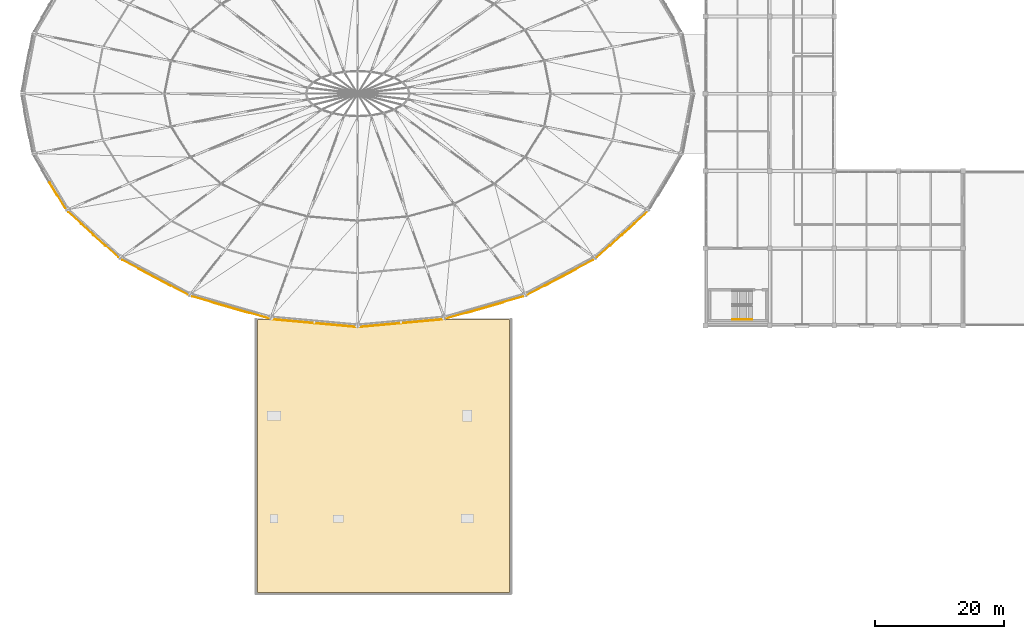
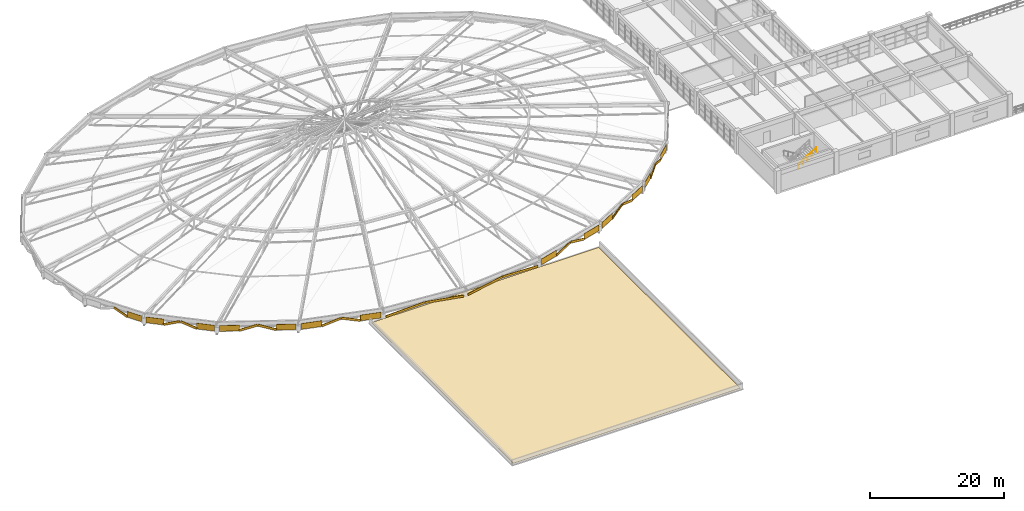
# One storey, part 75 of 83: 31 coverings, 1 railing.
"""IFC4 building model written with IfcOpenShell, lengths in metres."""

from ifc_helpers import new_model, si_unit, direction, frame, frame_2d, origin, origin_2d, place, context, subcontext, project, spatial, polyline, rectangle, circle, outline, extrude, material, layer, layer_set, type_object, element, save


model = new_model("IFC4")

# Units and contexts
model_context = context("Model", 3, precision=1e-05, world=origin(), true_north=direction((0.0, 1.0)))
body_context = subcontext(model_context, "Body", "Model", "MODEL_VIEW")
ifc_project = project(units=[si_unit("LENGTHUNIT", "METRE"), si_unit("AREAUNIT", "SQUARE_METRE"), si_unit("VOLUMEUNIT", "CUBIC_METRE"), si_unit("PLANEANGLEUNIT", "RADIAN"), si_unit("MASSUNIT", "GRAM", prefix="KILO")], contexts=[model_context])

# Site, building, storey
site_placement = place(None, origin())
site = spatial("IfcSite", under=ifc_project, at=site_placement, CompositionType="ELEMENT")
building_placement = place(site_placement, origin())
building = spatial("IfcBuilding", under=site, at=building_placement, Name="Kivolera Central Railway Station", CompositionType="ELEMENT")
storey_placement = place(building_placement, frame((0.0, 0.0, 14.39990234375)))
storey = spatial("IfcBuildingStorey", under=building, at=storey_placement, Name="L03", CompositionType="ELEMENT", Elevation=14.39990234375)

# Coverings
ifc_material_1 = material(Name="Precast concrete C40/50", Category="concrete")
ifc_layer_1 = layer(ifc_material_1, 0.090087890625, Name="Precast concrete C40/50")
ifc_layer_set_1 = layer_set([ifc_layer_1], Name="Precast concrete C40/50")
covering_type_1 = type_object("IfcCoveringType", Name="COV-CLAUSTRA-90", PredefinedType="CLADDING", material=ifc_layer_set_1)
covering_1_placement = place(storey_placement, frame((16.7548828125, 75.199951171875, 0.731201171875), z_axis=(0.476784191777, -0.797245697627, -0.370237939827), x_axis=(-0.858137550629, -0.513419851778, 0.0)))
element("IfcCovering", 1, at=covering_1_placement, inside=storey, type_object=covering_type_1, Name="Oval Lantern Arch Spandrel Extrados Trim 14.4", PredefinedType="CLADDING", context=body_context, shape_type="SweptSolid", body=[
    extrude(rectangle(XDim=0.090087890625, YDim=0.3798828125, at=origin_2d()), frame((0.0, 0.0, -1.21533203125)), (0.0, 0.0, 1.0), 2.430908203125),
])
for number, where, z_axis, x_axis, name in (
    (2, (21.966064453125, 68.949951171875, 0.732177734375), (0.698689607825, -0.630212758842, 0.338621780915), (-0.669922245859, -0.742431265844, 0.0), "Oval Lantern Arch Spandrel Extrados Trim 15.3"),
    (3, (23.888916015625, 67.216064453125, 0.732177734375), (0.698689607825, -0.630212758842, -0.338621780915), (-0.669922245859, -0.742431265844, 0.0), "Oval Lantern Arch Spandrel Extrados Trim 15.4"),
):
    element("IfcCovering", number, at=place(storey_placement, frame(where, z_axis=z_axis, x_axis=x_axis)), inside=storey, type_object=covering_type_1, Name=name, PredefinedType="CLADDING", context=body_context, shape_type="SweptSolid", body=[
        extrude(rectangle(XDim=0.090087890625, YDim=0.3798828125, at=origin_2d()), frame((0.0, 0.0, -1.3291015625)), (0.0, 0.0, 1.0), 2.657958984375),
    ])
for number, where, z_axis, x_axis, name in (
    (4, (31.242919921875, 62.1240234375, 0.734130859375), (0.839601563438, -0.445833602232, 0.310325013162), (-0.469119253064, -0.88313482912, 0.0), "Oval Lantern Arch Spandrel Extrados Trim 16.3"),
    (5, (33.748046875, 60.79296875, 0.734130859375), (0.839370630004, -0.446238946002, -0.310367119002), (-0.469119253064, -0.88313482912, 0.0), "Oval Lantern Arch Spandrel Extrados Trim 16.4"),
):
    element("IfcCovering", number, at=place(storey_placement, frame(where, z_axis=z_axis, x_axis=x_axis)), inside=storey, type_object=covering_type_1, Name=name, PredefinedType="CLADDING", context=body_context, shape_type="SweptSolid", body=[
        extrude(rectangle(XDim=0.090087890625, YDim=0.3798828125, at=origin_2d()), frame((0.0, 0.0, -1.449951171875)), (0.0, 0.0, 1.0), 2.89990234375),
    ])
for number, where, z_axis, x_axis, name in (
    (6, (42.739990234375, 57.198974609375, 0.734130859375), (0.919713439261, -0.263698583075, 0.290844025083), (-0.275632123108, -0.961263196378, 0.0), "Oval Lantern Arch Spandrel Extrados Trim 17.3"),
    (7, (45.658935546875, 56.362060546875, 0.734130859375), (0.919713439261, -0.263698583075, -0.290844025083), (-0.275632123108, -0.961263196378, 0.0), "Oval Lantern Arch Spandrel Extrados Trim 17.4"),
):
    element("IfcCovering", number, at=place(storey_placement, frame(where, z_axis=z_axis, x_axis=x_axis)), inside=storey, type_object=covering_type_1, Name=name, PredefinedType="CLADDING", context=body_context, shape_type="SweptSolid", body=[
        extrude(rectangle(XDim=0.090087890625, YDim=0.3798828125, at=origin_2d()), frame((0.0, 0.0, -1.546875)), (0.0, 0.0, 1.0), 3.093994140625),
    ])
for number, where, z_axis, x_axis, name in (
    (8, (54.0458984375, 54.65087890625, 0.59912109375), (0.989974548626, -0.090209411966, 0.108686038959), (-0.090789260019, -0.995870127208, 0.0), "Oval Lantern Arch Spandrel Extrados Trim 18.1"),
    (9, (60.449951171875, 54.068115234375, 0.59912109375), (0.989974548626, -0.090209411966, -0.108686038959), (-0.090789260019, -0.995870127208, 0.0), "Oval Lantern Arch Spandrel Extrados Trim 18.2"),
    (10, (67.550048828125, 54.068115234375, 0.59912109375), (0.989974548626, 0.090209411966, 0.108686038959), (0.090789260019, -0.995870127208, 0.0), "Oval Lantern Arch Spandrel Extrados Trim 19.1"),
    (11, (73.9541015625, 54.65087890625, 0.59912109375), (0.989974548626, 0.090209411966, -0.108686038959), (0.090789260019, -0.995870127208, 0.0), "Oval Lantern Arch Spandrel Extrados Trim 19.2"),
):
    element("IfcCovering", number, at=place(storey_placement, frame(where, z_axis=z_axis, x_axis=x_axis)), inside=storey, type_object=covering_type_1, Name=name, PredefinedType="CLADDING", context=body_context, shape_type="SweptSolid", body=[
        extrude(rectangle(XDim=0.090087890625, YDim=0.3798828125, at=origin_2d()), frame((0.0, 0.0, -3.220458984375)), (0.0, 0.0, 1.0), 6.44091796875),
    ])
for number, where, z_axis, x_axis, name in (
    (12, (82.341064453125, 56.362060546875, 0.734130859375), (0.919713439261, 0.263698583075, 0.290844025083), (0.275632123108, -0.961263196378, 0.0), "Oval Lantern Arch Spandrel Extrados Trim 20.3"),
    (13, (85.260009765625, 57.198974609375, 0.734130859375), (0.919713439261, 0.263698583075, -0.290844025083), (0.275632123108, -0.961263196378, 0.0), "Oval Lantern Arch Spandrel Extrados Trim 20.4"),
):
    element("IfcCovering", number, at=place(storey_placement, frame(where, z_axis=z_axis, x_axis=x_axis)), inside=storey, type_object=covering_type_1, Name=name, PredefinedType="CLADDING", context=body_context, shape_type="SweptSolid", body=[
        extrude(rectangle(XDim=0.090087890625, YDim=0.3798828125, at=origin_2d()), frame((0.0, 0.0, -1.546875)), (0.0, 0.0, 1.0), 3.093994140625),
    ])
for number, where, z_axis, x_axis, name in (
    (14, (94.251953125, 60.79296875, 0.734130859375), (0.839370630004, 0.446238946002, 0.310367119002), (0.469119253064, -0.88313482912, 0.0), "Oval Lantern Arch Spandrel Extrados Trim 21.3"),
    (15, (96.757080078125, 62.1240234375, 0.734130859375), (0.839601563438, 0.445833602232, -0.310325013162), (0.469119253064, -0.88313482912, 0.0), "Oval Lantern Arch Spandrel Extrados Trim 21.4"),
):
    element("IfcCovering", number, at=place(storey_placement, frame(where, z_axis=z_axis, x_axis=x_axis)), inside=storey, type_object=covering_type_1, Name=name, PredefinedType="CLADDING", context=body_context, shape_type="SweptSolid", body=[
        extrude(rectangle(XDim=0.090087890625, YDim=0.3798828125, at=origin_2d()), frame((0.0, 0.0, -1.449951171875)), (0.0, 0.0, 1.0), 2.89990234375),
    ])
for number, where, z_axis, x_axis, name in (
    (16, (104.111083984375, 67.216064453125, 0.732177734375), (0.698689607825, 0.630212758842, 0.338621780915), (0.669922245859, -0.742431265844, 0.0), "Oval Lantern Arch Spandrel Extrados Trim 22.3"),
    (17, (106.033935546875, 68.949951171875, 0.732177734375), (0.698689607825, 0.630212758842, -0.338621780915), (0.669922245859, -0.742431265844, 0.0), "Oval Lantern Arch Spandrel Extrados Trim 22.4"),
):
    element("IfcCovering", number, at=place(storey_placement, frame(where, z_axis=z_axis, x_axis=x_axis)), inside=storey, type_object=covering_type_1, Name=name, PredefinedType="CLADDING", context=body_context, shape_type="SweptSolid", body=[
        extrude(rectangle(XDim=0.090087890625, YDim=0.3798828125, at=origin_2d()), frame((0.0, 0.0, -1.3291015625)), (0.0, 0.0, 1.0), 2.657958984375),
    ])
ifc_material_2 = material(Name="Anodised aluminium", Category="aluminium")
ifc_layer_2 = layer(ifc_material_2, 0.054931640625, Name="Anodised aluminium")
ifc_layer_set_2 = layer_set([ifc_layer_2], Name="Anodised aluminium")
covering_type_2 = type_object("IfcCoveringType", Name="COV-ROOF-SEAM-55", PredefinedType="ROOFING", material=ifc_layer_set_2)
covering_2_placement = place(storey_placement, origin())
element("IfcCovering", 18, at=covering_2_placement, inside=storey, type_object=covering_type_2, Name="L03 Monsoon Roof Surfacing COV-L03-BRG", PredefinedType="ROOFING", context=body_context, shape_type="SweptSolid", body=[
    extrude(outline(polyline([(48.39990234375, 12.5), (87.60009765625, 12.5), (87.60009765625, 54.89990234375), (48.39990234375, 54.89990234375), (48.39990234375, 12.5)])), origin(), (0.0, 0.0, 1.0), 0.05517578125),
])
ifc_material_3 = material(Name="Terracotta clay tile", Category="masonry")
ifc_layer_3 = layer(ifc_material_3, 0.044921875, Name="Terracotta clay tile")
ifc_layer_set_3 = layer_set([ifc_layer_3], Name="Terracotta clay tile")
covering_type_3 = type_object("IfcCoveringType", Name="COV-TERRACOTTA-45", PredefinedType="CLADDING", material=ifc_layer_set_3)
covering_3_placement = place(storey_placement, frame((18.60009765625, 72.194091796875, 0.16015625), z_axis=(0.0, 0.0, 1.0), x_axis=(-0.513526675005, 0.858073629742, 0.0)))
element("IfcCovering", 19, at=covering_3_placement, inside=storey, type_object=covering_type_3, Name="Oval Lantern Arch Spandrel Tympanum Cladding 14R", PredefinedType="CLADDING", context=body_context, shape_type="SweptSolid", body=[
    extrude(rectangle(XDim=2.446044921875, YDim=0.044921875, at=frame_2d((1.22314453125, 0.0))), origin(), (0.0, 0.0, 1.0), 1.06005859375),
])
for number, where, z_axis, x_axis, name in (
    (20, (21.097900390625, 69.7880859375, 0.16015625), (0.0, 0.0, 1.0), (-0.742365783712, 0.669994808318, 0.0), "Oval Lantern Arch Spandrel Tympanum Cladding 15L"),
    (21, (26.822021484375, 64.6220703125, 0.16015625), (0.0, 0.0, 1.0), (-0.742365783712, 0.669994808318, 0.0), "Oval Lantern Arch Spandrel Tympanum Cladding 15R"),
):
    element("IfcCovering", number, at=place(storey_placement, frame(where, z_axis=z_axis, x_axis=x_axis)), inside=storey, type_object=covering_type_3, Name=name, PredefinedType="CLADDING", context=body_context, shape_type="SweptSolid", body=[
        extrude(rectangle(XDim=2.708984375, YDim=0.044921875, at=frame_2d((1.3544921875, 0.0))), origin(), (0.0, 0.0, 1.0), 1.06005859375),
    ])
covering_4_placement = place(storey_placement, frame((30.080078125, 62.787109375, 0.16015625), z_axis=(0.0, 0.0, 1.0), x_axis=(-0.883116778071, 0.469153233272, 0.0)))
element("IfcCovering", 22, at=covering_4_placement, inside=storey, type_object=covering_type_3, Name="Oval Lantern Arch Spandrel Tympanum Cladding 16L", PredefinedType="CLADDING", context=body_context, shape_type="SweptSolid", body=[
    extrude(rectangle(XDim=2.986083984375, YDim=0.044921875, at=frame_2d((1.4931640625, 0.0))), origin(), (0.0, 0.0, 1.0), 1.06005859375),
])
covering_5_placement = place(storey_placement, frame((37.5859375, 58.800048828125, 0.16015625), z_axis=(0.0, 0.0, 1.0), x_axis=(-0.883188732157, 0.469017764472, 0.0)))
element("IfcCovering", 23, at=covering_5_placement, inside=storey, type_object=covering_type_3, Name="Oval Lantern Arch Spandrel Tympanum Cladding 16R", PredefinedType="CLADDING", context=body_context, shape_type="SweptSolid", body=[
    extrude(rectangle(XDim=2.98681640625, YDim=0.044921875, at=frame_2d((1.493408203125, 0.0))), origin(), (0.0, 0.0, 1.0), 1.06005859375),
])
for number, where, z_axis, x_axis, name in (
    (24, (41.364990234375, 57.634033203125, 0.16015625), (0.0, 0.0, 1.0), (-0.961262114071, 0.275635897612, 0.0), "Oval Lantern Arch Spandrel Tympanum Cladding 17L"),
    (25, (50.139892578125, 55.117919921875, 0.16015625), (0.0, 0.0, 1.0), (-0.961262114071, 0.275635897612, 0.0), "Oval Lantern Arch Spandrel Tympanum Cladding 17R"),
    (26, (80.943115234375, 56.001953125, 0.16015625), (0.0, 0.0, 1.0), (-0.961262114071, -0.275635897612, 0.0), "Oval Lantern Arch Spandrel Tympanum Cladding 20L"),
    (27, (89.718017578125, 58.51806640625, 0.16015625), (0.0, 0.0, 1.0), (-0.961262114071, -0.275635897612, 0.0), "Oval Lantern Arch Spandrel Tympanum Cladding 20R"),
):
    element("IfcCovering", number, at=place(storey_placement, frame(where, z_axis=z_axis, x_axis=x_axis)), inside=storey, type_object=covering_type_3, Name=name, PredefinedType="CLADDING", context=body_context, shape_type="SweptSolid", body=[
        extrude(rectangle(XDim=3.207275390625, YDim=0.044921875, at=frame_2d((1.603515625, 0.0))), origin(), (0.0, 0.0, 1.0), 1.06005859375),
    ])
covering_6_placement = place(storey_placement, frame((93.052001953125, 60.200927734375, 0.16015625), z_axis=(0.0, 0.0, 1.0), x_axis=(-0.883188732157, -0.469017764472, 0.0)))
element("IfcCovering", 28, at=covering_6_placement, inside=storey, type_object=covering_type_3, Name="Oval Lantern Arch Spandrel Tympanum Cladding 21L", PredefinedType="CLADDING", context=body_context, shape_type="SweptSolid", body=[
    extrude(rectangle(XDim=2.98681640625, YDim=0.044921875, at=frame_2d((1.493408203125, 0.0))), origin(), (0.0, 0.0, 1.0), 1.06005859375),
])
covering_7_placement = place(storey_placement, frame((100.556884765625, 64.18798828125, 0.16015625), z_axis=(0.0, 0.0, 1.0), x_axis=(-0.883116778071, -0.469153233272, 0.0)))
element("IfcCovering", 29, at=covering_7_placement, inside=storey, type_object=covering_type_3, Name="Oval Lantern Arch Spandrel Tympanum Cladding 21R", PredefinedType="CLADDING", context=body_context, shape_type="SweptSolid", body=[
    extrude(rectangle(XDim=2.986083984375, YDim=0.044921875, at=frame_2d((1.4931640625, 0.0))), origin(), (0.0, 0.0, 1.0), 1.06005859375),
])
for number, where, z_axis, x_axis, name in (
    (30, (103.18896484375, 66.43701171875, 0.16015625), (0.0, 0.0, 1.0), (-0.742365783712, -0.669994808318, 0.0), "Oval Lantern Arch Spandrel Tympanum Cladding 22L"),
    (31, (108.9130859375, 71.60302734375, 0.16015625), (0.0, 0.0, 1.0), (-0.742365783712, -0.669994808318, 0.0), "Oval Lantern Arch Spandrel Tympanum Cladding 22R"),
):
    element("IfcCovering", number, at=place(storey_placement, frame(where, z_axis=z_axis, x_axis=x_axis)), inside=storey, type_object=covering_type_3, Name=name, PredefinedType="CLADDING", context=body_context, shape_type="SweptSolid", body=[
        extrude(rectangle(XDim=2.708984375, YDim=0.044921875, at=frame_2d((1.3544921875, 0.0))), origin(), (0.0, 0.0, 1.0), 1.06005859375),
    ])

# Railing
ifc_layer_4 = layer(ifc_material_2, 0.048095703125, Name="Anodised aluminium")
ifc_layer_set_4 = layer_set([ifc_layer_4], Name="Anodised aluminium")
railing_type = type_object("IfcRailingType", Name="RL-STAIR-HAND", PredefinedType="HANDRAIL", material=ifc_layer_set_4)
railing_placement = place(storey_placement, frame((122.159912109375, 54.949951171875, 2.275146484375)))
element("IfcRailing", 32, at=railing_placement, inside=storey, type_object=railing_type, Name="L03 ST4 stair handrail 2", PredefinedType="HANDRAIL", context=body_context, shape_type="SweptSolid", body=[
    extrude(circle(Radius=0.02392578125, at=origin_2d()), frame((0.0, 0.0, 0.8759765625), z_axis=(0.847998304005, 0.0, 0.529998940003), x_axis=(0.0, 1.0, 0.0)), (0.0, 0.0, 1.0), 3.632080078125),
    extrude(circle(Radius=0.02099609375, at=origin_2d()), origin(), (0.0, 0.0, 1.0), 0.851806640625),
    extrude(circle(Radius=0.02099609375, at=origin_2d()), frame((0.77001953125, 0.0, 0.481201171875)), (0.0, 0.0, 1.0), 0.851806640625),
    extrude(circle(Radius=0.02099609375, at=origin_2d()), frame((1.5400390625, 0.0, 0.96240234375)), (0.0, 0.0, 1.0), 0.851806640625),
    extrude(circle(Radius=0.02099609375, at=origin_2d()), frame((2.31005859375, 0.0, 1.44384765625)), (0.0, 0.0, 1.0), 0.851806640625),
    extrude(circle(Radius=0.02099609375, at=origin_2d()), frame((3.080078125, 0.0, 1.925048828125)), (0.0, 0.0, 1.0), 0.851806640625),
])

save(model, "model.ifc")
